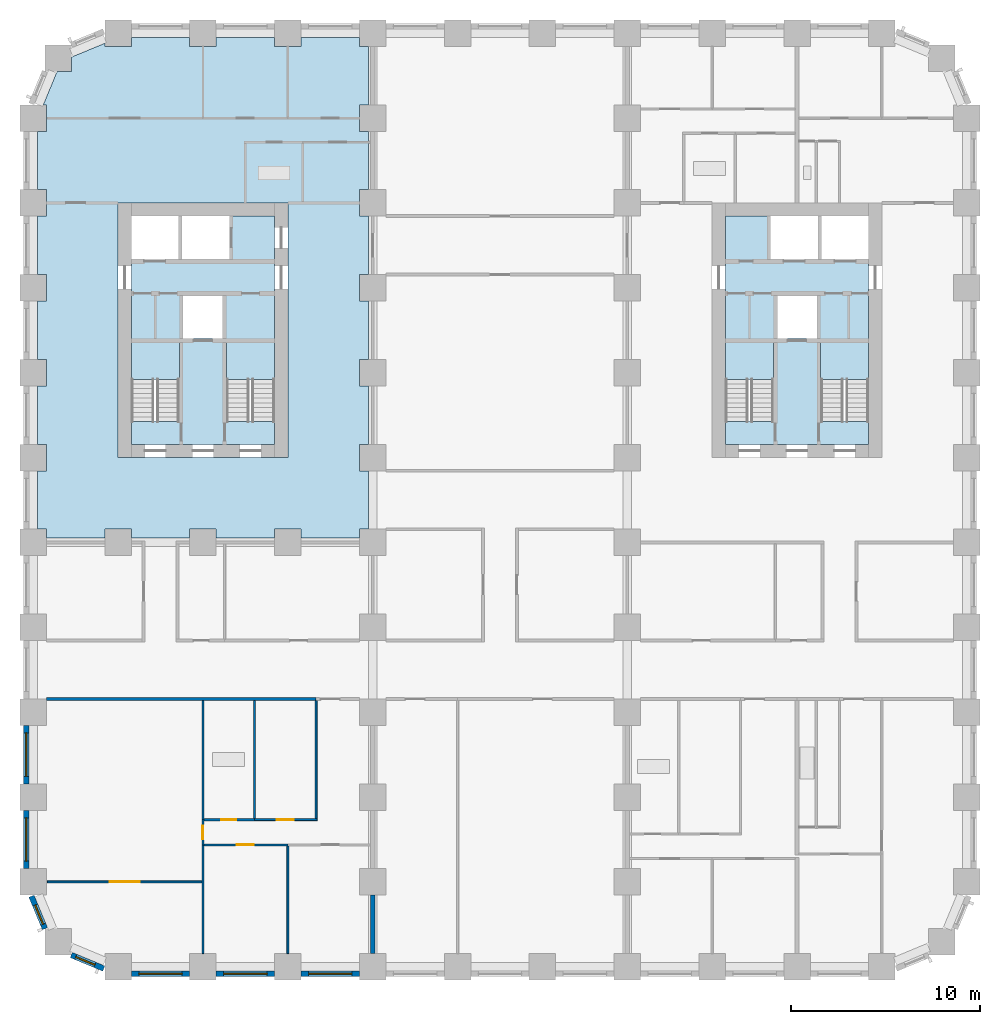
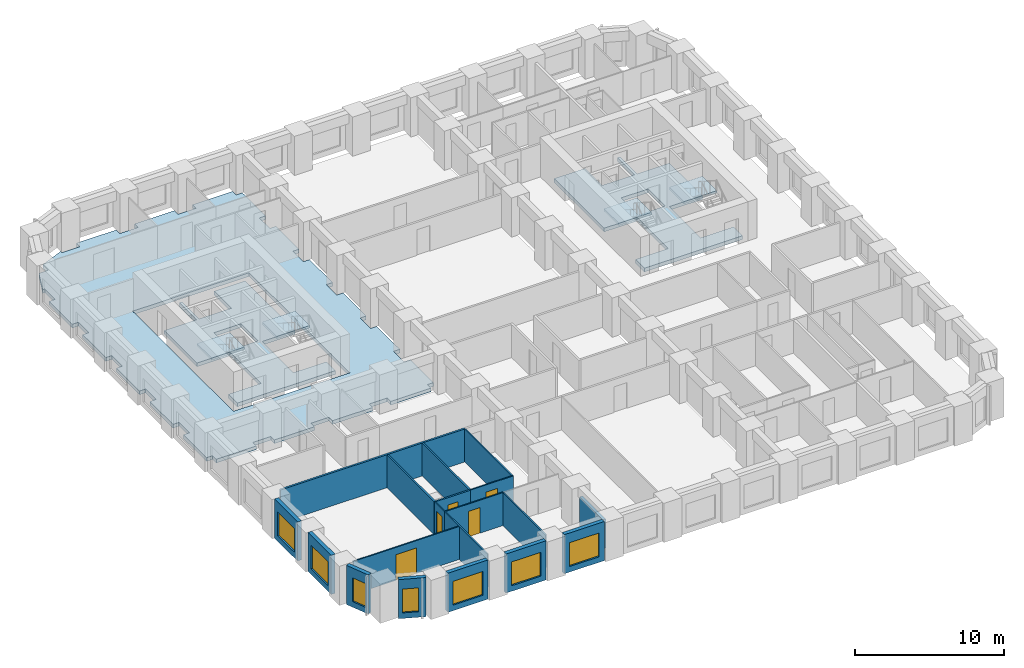
# One storey, part 2 of 12: 19 walls, 7 slabs, 7 windows, 5 doors, 12 openings, 4 elements without a shape of their own.
"""IFC4 building model written with IfcOpenShell, lengths in metres."""

from ifc_helpers import new_model, si_unit, direction, frame, frame_2d, origin, place, context, subcontext, project, spatial, polyline, rectangle, outline, extrude, material, layer, layer_set, type_object, element, fill, aggregate, save


model = new_model("IFC4")

# Units and contexts
model_context = context("Model", 3, precision=1e-05, world=origin(), true_north=direction((0.0, 1.0)))
body_context = subcontext(model_context, "Body", "Model", "MODEL_VIEW")
ifc_project = project(units=[si_unit("LENGTHUNIT", "METRE"), si_unit("AREAUNIT", "SQUARE_METRE"), si_unit("VOLUMEUNIT", "CUBIC_METRE"), si_unit("PLANEANGLEUNIT", "RADIAN"), si_unit("MASSUNIT", "GRAM", prefix="KILO")], contexts=[model_context])

# Site, building, storey
site_placement = place(None, origin())
site = spatial("IfcSite", under=ifc_project, at=site_placement, CompositionType="ELEMENT")
building_placement = place(site_placement, origin())
building = spatial("IfcBuilding", under=site, at=building_placement, Name="Girih Gate Residences", CompositionType="ELEMENT")
storey_placement = place(building_placement, frame((0.0, 0.0, 72.0)))
storey = spatial("IfcBuildingStorey", under=building, at=storey_placement, Name="L19", CompositionType="ELEMENT", Elevation=72.0)

# Slabs
ifc_material_1 = material(Name="Concrete C40/50", Category="concrete")
ifc_layer_1 = layer(ifc_material_1, 0.300048828125)
ifc_layer_set_1 = layer_set([ifc_layer_1], Name="Core floor slab 300")
slab_type_1 = type_object("IfcSlabType", Name="Core floor slab 300", PredefinedType="FLOOR", material=ifc_layer_set_1)
slab_1_placement = place(storey_placement, frame((0.0, 0.0, -0.300048828125)))
element("IfcSlab", 1, at=slab_1_placement, inside=storey, type_object=slab_type_1, Name="L19 W core floor", PredefinedType="FLOOR", context=body_context, shape_type="SweptSolid", body=[
    extrude(outline(polyline([(12.800048828125, 27.699951171875), (5.199951171875, 27.699951171875), (5.199951171875, 28.900634765625), (7.75, 28.900634765625), (7.75, 33.10009765625), (5.199951171875, 33.10009765625), (5.199951171875, 37.5), (7.699951171875, 37.5), (7.699951171875, 39.800048828125), (7.89990234375, 39.800048828125), (7.89990234375, 37.5), (10.39990234375, 37.5), (10.39990234375, 39.800048828125), (12.800048828125, 39.800048828125), (12.800048828125, 33.10009765625), (10.25, 33.10009765625), (10.25, 28.900634765625), (12.800048828125, 28.900634765625), (12.800048828125, 27.699951171875)]), holes=[polyline([(7.949951171875, 33.300048828125), (10.050048828125, 33.300048828125), (10.050048828125, 35.60009765625), (7.949951171875, 35.60009765625), (7.949951171875, 33.300048828125)])]), origin(), (0.0, 0.0, 1.0), 0.300048828125),
])
slab_2_placement = place(storey_placement, frame((0.0, 0.0, -0.300048828125)))
element("IfcSlab", 2, at=slab_2_placement, inside=storey, type_object=slab_type_1, Name="L19 E core floor", PredefinedType="FLOOR", context=body_context, shape_type="SweptSolid", body=[
    extrude(outline(polyline([(44.300048828125, 27.699951171875), (36.699951171875, 27.699951171875), (36.699951171875, 28.900634765625), (39.25, 28.900634765625), (39.25, 33.10009765625), (36.699951171875, 33.10009765625), (36.699951171875, 39.800048828125), (39.10009765625, 39.800048828125), (39.10009765625, 37.5), (41.60009765625, 37.5), (41.60009765625, 39.800048828125), (41.800048828125, 39.800048828125), (41.800048828125, 37.5), (44.300048828125, 37.5), (44.300048828125, 33.10009765625), (41.75, 33.10009765625), (41.75, 28.900634765625), (44.300048828125, 28.900634765625), (44.300048828125, 27.699951171875)]), holes=[polyline([(39.449951171875, 33.300048828125), (41.550048828125, 33.300048828125), (41.550048828125, 35.60009765625), (39.449951171875, 35.60009765625), (39.449951171875, 33.300048828125)])]), origin(), (0.0, 0.0, 1.0), 0.300048828125),
])
ifc_layer_2 = layer(ifc_material_1, 0.300048828125)
ifc_layer_set_2 = layer_set([ifc_layer_2], Name="Floor slab PT 300 Concrete C40/50")
slab_type_2 = type_object("IfcSlabType", Name="Floor slab PT 300 Concrete C40/50", PredefinedType="FLOOR", material=ifc_layer_set_2)
slab_3_placement = place(storey_placement, frame((0.0, 0.0, -0.300048828125)))
element("IfcSlab", 3, at=slab_3_placement, inside=storey, type_object=slab_type_2, Name="Floor slab L19 3", PredefinedType="FLOOR", context=body_context, shape_type="SweptSolid", body=[
    extrude(outline(polyline([(0.22509765625, 26.300048828125), (0.22509765625, 23.199951171875), (0.699951171875, 23.199951171875), (0.699951171875, 22.72509765625), (3.800048828125, 22.72509765625), (3.800048828125, 23.199951171875), (5.199951171875, 23.199951171875), (5.199951171875, 22.72509765625), (8.300048828125, 22.72509765625), (8.300048828125, 23.199951171875), (9.699951171875, 23.199951171875), (9.699951171875, 22.72509765625), (12.800048828125, 22.72509765625), (12.800048828125, 23.199951171875), (14.199951171875, 23.199951171875), (14.199951171875, 22.72509765625), (17.300048828125, 22.72509765625), (17.300048828125, 23.199951171875), (17.77490234375, 23.199951171875), (17.77490234375, 26.300048828125), (17.300048828125, 26.300048828125), (17.300048828125, 27.699951171875), (17.77490234375, 27.699951171875), (17.77490234375, 30.800048828125), (17.300048828125, 30.800048828125), (17.300048828125, 32.199951171875), (17.77490234375, 32.199951171875), (17.77490234375, 35.300048828125), (17.300048828125, 35.300048828125), (17.300048828125, 36.699951171875), (17.77490234375, 36.699951171875), (17.77490234375, 39.800048828125), (17.300048828125, 39.800048828125), (17.300048828125, 41.199951171875), (17.77490234375, 41.199951171875), (17.77490234375, 44.300048828125), (17.300048828125, 44.300048828125), (17.300048828125, 45.699951171875), (17.77490234375, 45.699951171875), (17.77490234375, 48.800048828125), (17.300048828125, 48.800048828125), (17.300048828125, 49.27490234375), (14.199951171875, 49.27490234375), (14.199951171875, 48.800048828125), (12.800048828125, 48.800048828125), (12.800048828125, 49.27490234375), (9.699951171875, 49.27490234375), (9.699951171875, 48.800048828125), (8.300048828125, 48.800048828125), (8.300048828125, 49.27490234375), (5.199951171875, 49.27490234375), (5.199951171875, 48.800048828125), (3.800048828125, 48.800048828125), (3.800048828125, 48.966552734375), (2.01806640625, 48.228271484375), (2.01806640625, 47.48193359375), (1.271728515625, 47.48193359375), (0.533447265625, 45.699951171875), (0.699951171875, 45.699951171875), (0.699951171875, 44.300048828125), (0.22509765625, 44.300048828125), (0.22509765625, 41.199951171875), (0.699951171875, 41.199951171875), (0.699951171875, 39.800048828125), (0.22509765625, 39.800048828125), (0.22509765625, 36.699951171875), (0.699951171875, 36.699951171875), (0.699951171875, 35.300048828125), (0.22509765625, 35.300048828125), (0.22509765625, 32.199951171875), (0.699951171875, 32.199951171875), (0.699951171875, 30.800048828125), (0.22509765625, 30.800048828125), (0.22509765625, 27.699951171875), (0.699951171875, 27.699951171875), (0.699951171875, 26.300048828125), (0.22509765625, 26.300048828125)]), holes=[polyline([(13.5, 40.5), (13.5, 27.0), (4.5, 27.0), (4.5, 40.5), (13.5, 40.5)])]), origin(), (0.0, 0.0, 1.0), 0.300048828125),
])

# Stair, slab
stair_type = type_object("IfcStairType", Name="Exit stair", PredefinedType="HALF_TURN_STAIR", material=ifc_material_1)
stair_1_placement = place(storey_placement, origin())
stair_1 = element("IfcStair", 4, at=stair_1_placement, inside=storey, type_object=stair_type, Name="L19 Exit Stair ST-W1", PredefinedType="HALF_TURN_STAIR")
ifc_layer_3 = layer(ifc_material_1, 0.199951171875)
ifc_layer_set_3 = layer_set([ifc_layer_3], Name="Stair landing 200")
slab_type_3 = type_object("IfcSlabType", Name="Stair landing 200", PredefinedType="LANDING", material=ifc_layer_set_3)
slab_4_placement = place(storey_placement, frame((0.0, 0.0, 1.39990234375)))
slab_4 = element("IfcSlab", 5, at=slab_4_placement, type_object=slab_type_3, Name="ST-W1 landing 1", PredefinedType="LANDING", context=body_context, shape_type="SweptSolid", body=[
    extrude(outline(polyline([(7.75, 31.14990234375), (7.75, 33.10009765625), (5.199951171875, 33.10009765625), (5.199951171875, 31.14990234375), (7.75, 31.14990234375)])), origin(), (0.0, 0.0, 1.0), 0.2001953125),
])
aggregate(stair_1, [slab_4])

stair_2_placement = place(storey_placement, origin())
stair_2 = element("IfcStair", 6, at=stair_2_placement, inside=storey, type_object=stair_type, Name="L19 Exit Stair ST-W2", PredefinedType="HALF_TURN_STAIR")
slab_5_placement = place(storey_placement, frame((0.0, 0.0, 1.39990234375)))
slab_5 = element("IfcSlab", 7, at=slab_5_placement, type_object=slab_type_3, Name="ST-W2 landing 1", PredefinedType="LANDING", context=body_context, shape_type="SweptSolid", body=[
    extrude(outline(polyline([(12.800048828125, 31.14990234375), (12.800048828125, 33.10009765625), (10.25, 33.10009765625), (10.25, 31.14990234375), (12.800048828125, 31.14990234375)])), origin(), (0.0, 0.0, 1.0), 0.2001953125),
])
aggregate(stair_2, [slab_5])

stair_3_placement = place(storey_placement, origin())
stair_3 = element("IfcStair", 8, at=stair_3_placement, inside=storey, type_object=stair_type, Name="L19 Exit Stair ST-E1", PredefinedType="HALF_TURN_STAIR")
slab_6_placement = place(storey_placement, frame((0.0, 0.0, 1.39990234375)))
slab_6 = element("IfcSlab", 9, at=slab_6_placement, type_object=slab_type_3, Name="ST-E1 landing 1", PredefinedType="LANDING", context=body_context, shape_type="SweptSolid", body=[
    extrude(outline(polyline([(44.300048828125, 31.14990234375), (44.300048828125, 33.10009765625), (41.75, 33.10009765625), (41.75, 31.14990234375), (44.300048828125, 31.14990234375)])), origin(), (0.0, 0.0, 1.0), 0.2001953125),
])
aggregate(stair_3, [slab_6])

stair_4_placement = place(storey_placement, origin())
stair_4 = element("IfcStair", 10, at=stair_4_placement, inside=storey, type_object=stair_type, Name="L19 Exit Stair ST-E2", PredefinedType="HALF_TURN_STAIR")
slab_7_placement = place(storey_placement, frame((0.0, 0.0, 1.39990234375)))
slab_7 = element("IfcSlab", 11, at=slab_7_placement, type_object=slab_type_3, Name="ST-E2 landing 1", PredefinedType="LANDING", context=body_context, shape_type="SweptSolid", body=[
    extrude(outline(polyline([(39.25, 31.14990234375), (39.25, 33.10009765625), (36.699951171875, 33.10009765625), (36.699951171875, 31.14990234375), (39.25, 31.14990234375)])), origin(), (0.0, 0.0, 1.0), 0.2001953125),
])
aggregate(stair_4, [slab_7])

# Walls
ifc_material_2 = material(Name="Gypsum board on steel studs", Category="steel")
ifc_layer_4 = layer(ifc_material_2, 0.25)
ifc_layer_set_4 = layer_set([ifc_layer_4], Name="Acoustic separating wall 250 mm")
wall_type_1 = type_object("IfcWallType", Name="Acoustic separating wall 250 mm", PredefinedType="PARTITIONING", material=ifc_layer_set_4)
wall_1_placement = place(storey_placement, frame((18.0, 0.699951171875, 0.0), z_axis=(0.0, 0.0, 1.0), x_axis=(0.0, 1.0, 0.0)))
element("IfcWall", 12, at=wall_1_placement, inside=storey, type_object=wall_type_1, Name="L19 partition", PredefinedType="PARTITIONING", context=body_context, shape_type="SweptSolid", body=[
    extrude(rectangle(XDim=3.10009765625, YDim=0.25, at=frame_2d((1.550048828125, 0.0))), origin(), (0.0, 0.0, 1.0), 2.3798828125),
])
ifc_layer_5 = layer(ifc_material_2, 0.14990234375)
ifc_layer_set_5 = layer_set([ifc_layer_5], Name="Compartment wall 150 mm")
wall_type_2 = type_object("IfcWallType", Name="Compartment wall 150 mm", PredefinedType="PARTITIONING", material=ifc_layer_set_5)
wall_2_placement = place(storey_placement, frame((0.699951171875, 14.199951171875, 0.0), z_axis=(0.0, 0.0, 1.0), x_axis=(1.0, 0.0, 0.0)))
element("IfcWall", 13, at=wall_2_placement, inside=storey, type_object=wall_type_2, Name="L19 partition", PredefinedType="PARTITIONING", context=body_context, shape_type="SweptSolid", body=[
    extrude(rectangle(XDim=14.300048828125, YDim=0.14990234375, at=frame_2d((7.14990234375, 0.0))), origin(), (0.0, 0.0, 1.0), 2.699951171875),
])
ifc_layer_6 = layer(ifc_material_2, 0.10009765625)
ifc_layer_set_6 = layer_set([ifc_layer_6], Name="Partition 100 mm")
wall_type_3 = type_object("IfcWallType", Name="Partition 100 mm", PredefinedType="PARTITIONING", material=ifc_layer_set_6)
wall_3_placement = place(storey_placement, frame((13.5, 0.699951171875, 0.0), z_axis=(0.0, 0.0, 1.0), x_axis=(0.0, 1.0, 0.0)))
element("IfcWall", 14, at=wall_3_placement, inside=storey, type_object=wall_type_3, Name="L19 partition", PredefinedType="PARTITIONING", context=body_context, shape_type="SweptSolid", body=[
    extrude(rectangle(XDim=5.7099609375, YDim=0.10009765625, at=frame_2d((2.85498046875, 0.0))), origin(), (0.0, 0.0, 1.0), 2.699951171875),
])

# Wall, opening, door
wall_4_placement = place(storey_placement, frame((13.5, 6.4599609375, 0.0), z_axis=(0.0, 0.0, 1.0), x_axis=(-1.0, 0.0, 0.0)))
wall_4 = element("IfcWall", 15, at=wall_4_placement, inside=storey, type_object=wall_type_3, Name="L19 partition", PredefinedType="PARTITIONING", context=body_context, shape_type="SweptSolid", body=[
    extrude(rectangle(XDim=4.449951171875, YDim=0.10009765625, at=frame_2d((2.22509765625, 0.0))), origin(), (0.0, 0.0, 1.0), 2.699951171875),
])
opening_1_placement = place(wall_4_placement, frame((1.800048828125, 0.0, 0.0)))
opening_1 = element("IfcOpeningElement", 16, at=opening_1_placement, cuts=wall_4, Name="Opening A19-002", PredefinedType="OPENING", context=body_context, shape_type="SweptSolid", body=[
    extrude(rectangle(XDim=0.89990234375, YDim=2.10009765625, at=frame_2d((0.449951171875, 1.050048828125))), frame((0.0, 0.06005859375, 0.0), z_axis=(0.0, -1.0, 0.0), x_axis=(1.0, 0.0, 0.0)), (0.0, 0.0, 1.0), 0.1201171875),
])
ifc_material_3 = material(Name="Timber", Category="wood")
door_type_1 = type_object("IfcDoorType", Name="Bedroom door 900x2100", OperationType="NOTDEFINED", PredefinedType="DOOR", material=ifc_material_3)
door_1_placement = place(opening_1_placement, origin())
door_1 = element("IfcDoor", 17, at=door_1_placement, inside=storey, type_object=door_type_1, Name="Door A19-002", OperationType="SINGLE_SWING_RIGHT", OverallHeight=2.10009765625, OverallWidth=0.89990234375, PredefinedType="DOOR", context=body_context, shape_type="SweptSolid", body=[
    extrude(rectangle(XDim=0.89990234375, YDim=2.10009765625, at=frame_2d((0.449951171875, 1.050048828125))), frame((0.0, 0.02490234375, 0.0), z_axis=(0.0, -1.0, 0.0), x_axis=(1.0, 0.0, 0.0)), (0.0, 0.0, 1.0), 0.050048828125),
])
fill(opening_1, door_1)

# Wall
wall_5_placement = place(storey_placement, frame((9.0, 0.699951171875, 0.0), z_axis=(0.0, 0.0, 1.0), x_axis=(0.0, 1.0, 0.0)))
element("IfcWall", 18, at=wall_5_placement, inside=storey, type_object=wall_type_3, Name="L19 partition", PredefinedType="PARTITIONING", context=body_context, shape_type="SweptSolid", body=[
    extrude(rectangle(XDim=5.760009765625, YDim=0.10009765625, at=frame_2d((2.8798828125, 0.0))), origin(), (0.0, 0.0, 1.0), 2.699951171875),
])

# Wall, opening, door
wall_6_placement = place(storey_placement, frame((9.0, 6.4599609375, 0.0), z_axis=(0.0, 0.0, 1.0), x_axis=(0.0, 1.0, 0.0)))
wall_6 = element("IfcWall", 19, at=wall_6_placement, inside=storey, type_object=wall_type_3, Name="L19 partition", PredefinedType="PARTITIONING", context=body_context, shape_type="SweptSolid", body=[
    extrude(rectangle(XDim=1.340087890625, YDim=0.10009765625, at=frame_2d((0.669921875, 0.0))), origin(), (0.0, 0.0, 1.0), 2.699951171875),
])
opening_2_placement = place(wall_6_placement, frame((0.31005859375, 0.0, 0.0)))
opening_2 = element("IfcOpeningElement", 20, at=opening_2_placement, cuts=wall_6, Name="Opening A19-004", PredefinedType="OPENING", context=body_context, shape_type="SweptSolid", body=[
    extrude(rectangle(XDim=0.699951171875, YDim=2.10009765625, at=frame_2d((0.35009765625, 1.050048828125))), frame((0.0, 0.06005859375, 0.0), z_axis=(0.0, -1.0, 0.0), x_axis=(1.0, 0.0, 0.0)), (0.0, 0.0, 1.0), 0.1201171875),
])
door_type_2 = type_object("IfcDoorType", Name="Narrow door 700x2100", OperationType="NOTDEFINED", PredefinedType="DOOR", material=ifc_material_3)
door_2_placement = place(opening_2_placement, origin())
door_2 = element("IfcDoor", 21, at=door_2_placement, inside=storey, type_object=door_type_2, Name="Door A19-004", OperationType="SINGLE_SWING_LEFT", OverallHeight=2.10009765625, OverallWidth=0.699951171875, PredefinedType="DOOR", context=body_context, shape_type="SweptSolid", body=[
    extrude(rectangle(XDim=0.699951171875, YDim=2.10009765625, at=frame_2d((0.35009765625, 1.050048828125))), frame((0.0, 0.02490234375, 0.0), z_axis=(0.0, -1.0, 0.0), x_axis=(1.0, 0.0, 0.0)), (0.0, 0.0, 1.0), 0.050048828125),
])
fill(opening_2, door_2)

wall_7_placement = place(storey_placement, frame((0.757568359375, 4.5, 0.0), z_axis=(0.0, 0.0, 1.0), x_axis=(1.0, 0.0, 0.0)))
wall_7 = element("IfcWall", 22, at=wall_7_placement, inside=storey, type_object=wall_type_3, Name="L19 partition", PredefinedType="PARTITIONING", context=body_context, shape_type="SweptSolid", body=[
    extrude(rectangle(XDim=8.1923828125, YDim=0.10009765625, at=frame_2d((4.09619140625, 0.0))), origin(), (0.0, 0.0, 1.0), 2.699951171875),
])
opening_3_placement = place(wall_7_placement, frame((3.292236328125, 0.0, 0.0)))
opening_3 = element("IfcOpeningElement", 23, at=opening_3_placement, cuts=wall_7, Name="Opening A19-005", PredefinedType="OPENING", context=body_context, shape_type="SweptSolid", body=[
    extrude(rectangle(XDim=1.60009765625, YDim=2.10009765625, at=frame_2d((0.800048828125, 1.050048828125))), frame((0.0, 0.06005859375, 0.0), z_axis=(0.0, -1.0, 0.0), x_axis=(1.0, 0.0, 0.0)), (0.0, 0.0, 1.0), 0.1201171875),
])
door_type_3 = type_object("IfcDoorType", Name="Double leaf door 1600x2100", OperationType="NOTDEFINED", PredefinedType="DOOR", material=ifc_material_3)
door_3_placement = place(opening_3_placement, origin())
door_3 = element("IfcDoor", 24, at=door_3_placement, inside=storey, type_object=door_type_3, Name="Door A19-005", OperationType="SINGLE_SWING_LEFT", OverallHeight=2.10009765625, OverallWidth=1.60009765625, PredefinedType="DOOR", context=body_context, shape_type="SweptSolid", body=[
    extrude(rectangle(XDim=1.60009765625, YDim=2.10009765625, at=frame_2d((0.800048828125, 1.050048828125))), frame((0.0, 0.02490234375, 0.0), z_axis=(0.0, -1.0, 0.0), x_axis=(1.0, 0.0, 0.0)), (0.0, 0.0, 1.0), 0.050048828125),
])
fill(opening_3, door_3)

wall_8_placement = place(storey_placement, frame((11.7314453125, 7.800048828125, 0.0), z_axis=(0.0, 0.0, 1.0), x_axis=(1.0, 0.0, 0.0)))
wall_8 = element("IfcWall", 25, at=wall_8_placement, inside=storey, type_object=wall_type_3, Name="L19 partition", PredefinedType="PARTITIONING", context=body_context, shape_type="SweptSolid", body=[
    extrude(rectangle(XDim=3.318603515625, YDim=0.10009765625, at=frame_2d((1.6591796875, 0.0))), origin(), (0.0, 0.0, 1.0), 2.699951171875),
])
opening_4_placement = place(wall_8_placement, frame((1.184326171875, 0.0, 0.0)))
opening_4 = element("IfcOpeningElement", 26, at=opening_4_placement, cuts=wall_8, Name="Opening A19-006", PredefinedType="OPENING", context=body_context, shape_type="SweptSolid", body=[
    extrude(rectangle(XDim=0.89990234375, YDim=2.10009765625, at=frame_2d((0.449951171875, 1.050048828125))), frame((0.0, 0.06005859375, 0.0), z_axis=(0.0, -1.0, 0.0), x_axis=(1.0, 0.0, 0.0)), (0.0, 0.0, 1.0), 0.1201171875),
])
door_type_4 = type_object("IfcDoorType", Name="Kitchen door 900x2100", OperationType="NOTDEFINED", PredefinedType="DOOR", material=ifc_material_3)
door_4_placement = place(opening_4_placement, origin())
door_4 = element("IfcDoor", 27, at=door_4_placement, inside=storey, type_object=door_type_4, Name="Door A19-006", OperationType="SINGLE_SWING_LEFT", OverallHeight=2.10009765625, OverallWidth=0.89990234375, PredefinedType="DOOR", context=body_context, shape_type="SweptSolid", body=[
    extrude(rectangle(XDim=0.89990234375, YDim=2.10009765625, at=frame_2d((0.449951171875, 1.050048828125))), frame((0.0, 0.02490234375, 0.0), z_axis=(0.0, -1.0, 0.0), x_axis=(1.0, 0.0, 0.0)), (0.0, 0.0, 1.0), 0.050048828125),
])
fill(opening_4, door_4)

# Wall
wall_9_placement = place(storey_placement, frame((15.0, 7.85009765625, 0.0), z_axis=(0.0, 0.0, 1.0), x_axis=(0.0, 1.0, 0.0)))
element("IfcWall", 28, at=wall_9_placement, inside=storey, type_object=wall_type_3, Name="L19 partition", PredefinedType="PARTITIONING", context=body_context, shape_type="SweptSolid", body=[
    extrude(rectangle(XDim=6.27490234375, YDim=0.10009765625, at=frame_2d((3.137451171875, 0.0))), origin(), (0.0, 0.0, 1.0), 2.699951171875),
])

# Wall, opening, window
ifc_material_4 = material(Name="Precast concrete C50/60", Category="concrete")
ifc_layer_7 = layer(ifc_material_4, 0.080078125, Name="Outer leaf")
ifc_material_5 = material(Name="Rigid PIR insulation")
ifc_layer_8 = layer(ifc_material_5, 0.14990234375, Name="Insulation")
ifc_material_6 = material(Name="Precast concrete C40/50", Category="concrete")
ifc_layer_9 = layer(ifc_material_6, 0.070068359375, Name="Inner leaf")
ifc_layer_set_7 = layer_set([ifc_layer_7, ifc_layer_8, ifc_layer_9], Name="Precast concrete C50/60 external wall 300")
wall_type_4 = type_object("IfcWallType", Name="Precast concrete C50/60 external wall 300", PredefinedType="SOLIDWALL", material=ifc_layer_set_7)
wall_10_placement = place(storey_placement, frame((0.62158203125, 2.01953125, 0.0), z_axis=(0.0, 0.0, 1.0), x_axis=(-0.38262540684, 0.923903565336, 0.0)))
wall_10 = element("IfcWall", 29, at=wall_10_placement, inside=storey, type_object=wall_type_4, Name="External wall SW0000_0045.0", PredefinedType="SOLIDWALL", context=body_context, shape_type="SweptSolid", body=[
    extrude(rectangle(XDim=1.864990234375, YDim=0.300048828125, at=frame_2d((0.9326171875, 0.0))), origin(), (0.0, 0.0, 1.0), 3.199951171875),
])
opening_5_placement = place(wall_10_placement, frame((0.257568359375, 0.0, 0.449951171875)))
opening_5 = element("IfcOpeningElement", 30, at=opening_5_placement, cuts=wall_10, Name="Opening W-2C", PredefinedType="OPENING", context=body_context, shape_type="SweptSolid", body=[
    extrude(rectangle(XDim=1.10009765625, YDim=1.949951171875, at=frame_2d((0.550048828125, 0.97509765625))), frame((0.0, 0.159912109375, 0.0), z_axis=(0.0, -1.0, 0.0), x_axis=(1.0, 0.0, 0.0)), (0.0, 0.0, 1.0), 0.320068359375),
])
ifc_material_7 = material(Name="Double glazing in aluminium frame", Category="aluminium")
window_type_1 = type_object("IfcWindowType", Name="Window W-2C 1100x1950", PartitioningType="SINGLE_PANEL", PredefinedType="WINDOW", material=ifc_material_7)
window_1_placement = place(opening_5_placement, origin())
window_1 = element("IfcWindow", 31, at=window_1_placement, inside=storey, type_object=window_type_1, Name="Window W-2C SW0000_0045.0", OverallHeight=1.949951171875, OverallWidth=1.10009765625, PartitioningType="SINGLE_PANEL", PredefinedType="WINDOW", context=body_context, shape_type="SweptSolid", body=[
    extrude(rectangle(XDim=1.10009765625, YDim=1.949951171875, at=frame_2d((0.550048828125, 0.97509765625))), frame((0.0, 0.030029296875, 0.0), z_axis=(0.0, -1.0, 0.0), x_axis=(1.0, 0.0, 0.0)), (0.0, 0.0, 1.0), 0.06005859375),
])
fill(opening_5, window_1)

wall_11_placement = place(storey_placement, frame((3.74267578125, -0.09228515625, 0.0), z_axis=(0.0, 0.0, 1.0), x_axis=(-0.923857286003, 0.382737135771, 0.0)))
wall_11 = element("IfcWall", 32, at=wall_11_placement, inside=storey, type_object=wall_type_4, Name="External wall SW0013_0013.0", PredefinedType="SOLIDWALL", context=body_context, shape_type="SweptSolid", body=[
    extrude(rectangle(XDim=1.865234375, YDim=0.300048828125, at=frame_2d((0.9326171875, 0.0))), origin(), (0.0, 0.0, 1.0), 3.199951171875),
])
opening_6_placement = place(wall_11_placement, frame((0.507568359375, 0.0, 0.449951171875)))
opening_6 = element("IfcOpeningElement", 33, at=opening_6_placement, cuts=wall_11, Name="Opening W-2C", PredefinedType="OPENING", context=body_context, shape_type="SweptSolid", body=[
    extrude(rectangle(XDim=1.10009765625, YDim=1.949951171875, at=frame_2d((0.550048828125, 0.97509765625))), frame((0.0, 0.159912109375, 0.0), z_axis=(0.0, -1.0, 0.0), x_axis=(1.0, 0.0, 0.0)), (0.0, 0.0, 1.0), 0.320068359375),
])
window_2_placement = place(opening_6_placement, origin())
window_2 = element("IfcWindow", 34, at=window_2_placement, inside=storey, type_object=window_type_1, Name="Window W-2C SW0013_0013.0", OverallHeight=1.949951171875, OverallWidth=1.10009765625, PartitioningType="SINGLE_PANEL", PredefinedType="WINDOW", context=body_context, shape_type="SweptSolid", body=[
    extrude(rectangle(XDim=1.10009765625, YDim=1.949951171875, at=frame_2d((0.550048828125, 0.97509765625))), frame((0.0, 0.030029296875, 0.0), z_axis=(0.0, -1.0, 0.0), x_axis=(1.0, 0.0, 0.0)), (0.0, 0.0, 1.0), 0.06005859375),
])
fill(opening_6, window_2)

wall_12_placement = place(storey_placement, frame((8.300048828125, -0.375, 0.0), z_axis=(0.0, 0.0, 1.0), x_axis=(-1.0, 0.0, 0.0)))
wall_12 = element("IfcWall", 35, at=wall_12_placement, inside=storey, type_object=wall_type_4, Name="External wall S0045_0000.0", PredefinedType="SOLIDWALL", context=body_context, shape_type="SweptSolid", body=[
    extrude(rectangle(XDim=3.10009765625, YDim=0.300048828125, at=frame_2d((1.550048828125, 0.0))), origin(), (0.0, 0.0, 1.0), 3.199951171875),
])
opening_7_placement = place(wall_12_placement, frame((0.39990234375, 0.0, 0.449951171875)))
opening_7 = element("IfcOpeningElement", 36, at=opening_7_placement, cuts=wall_12, Name="Opening W-1", PredefinedType="OPENING", context=body_context, shape_type="SweptSolid", body=[
    extrude(rectangle(XDim=2.300048828125, YDim=1.949951171875, at=frame_2d((1.14990234375, 0.97509765625))), frame((0.0, 0.159912109375, 0.0), z_axis=(0.0, -1.0, 0.0), x_axis=(1.0, 0.0, 0.0)), (0.0, 0.0, 1.0), 0.320068359375),
])
window_type_2 = type_object("IfcWindowType", Name="Window W-1 2300x1950", PartitioningType="SINGLE_PANEL", PredefinedType="WINDOW", material=ifc_material_7)
window_3_placement = place(opening_7_placement, origin())
window_3 = element("IfcWindow", 37, at=window_3_placement, inside=storey, type_object=window_type_2, Name="Window W-1 S0045_0000.0", OverallHeight=1.949951171875, OverallWidth=2.300048828125, PartitioningType="SINGLE_PANEL", PredefinedType="WINDOW", context=body_context, shape_type="SweptSolid", body=[
    extrude(rectangle(XDim=2.300048828125, YDim=1.949951171875, at=frame_2d((1.14990234375, 0.97509765625))), frame((0.0, 0.030029296875, 0.0), z_axis=(0.0, -1.0, 0.0), x_axis=(1.0, 0.0, 0.0)), (0.0, 0.0, 1.0), 0.06005859375),
])
fill(opening_7, window_3)

wall_13_placement = place(storey_placement, frame((12.800048828125, -0.375, 0.0), z_axis=(0.0, 0.0, 1.0), x_axis=(-1.0, 0.0, 0.0)))
wall_13 = element("IfcWall", 38, at=wall_13_placement, inside=storey, type_object=wall_type_4, Name="External wall S0045_0000.1", PredefinedType="SOLIDWALL", context=body_context, shape_type="SweptSolid", body=[
    extrude(rectangle(XDim=3.10009765625, YDim=0.300048828125, at=frame_2d((1.550048828125, 0.0))), origin(), (0.0, 0.0, 1.0), 3.199951171875),
])
opening_8_placement = place(wall_13_placement, frame((0.39990234375, 0.0, 0.449951171875)))
opening_8 = element("IfcOpeningElement", 39, at=opening_8_placement, cuts=wall_13, Name="Opening W-1", PredefinedType="OPENING", context=body_context, shape_type="SweptSolid", body=[
    extrude(rectangle(XDim=2.300048828125, YDim=1.949951171875, at=frame_2d((1.14990234375, 0.97509765625))), frame((0.0, 0.159912109375, 0.0), z_axis=(0.0, -1.0, 0.0), x_axis=(1.0, 0.0, 0.0)), (0.0, 0.0, 1.0), 0.320068359375),
])
window_4_placement = place(opening_8_placement, origin())
window_4 = element("IfcWindow", 40, at=window_4_placement, inside=storey, type_object=window_type_2, Name="Window W-1 S0045_0000.1", OverallHeight=1.949951171875, OverallWidth=2.300048828125, PartitioningType="SINGLE_PANEL", PredefinedType="WINDOW", context=body_context, shape_type="SweptSolid", body=[
    extrude(rectangle(XDim=2.300048828125, YDim=1.949951171875, at=frame_2d((1.14990234375, 0.97509765625))), frame((0.0, 0.030029296875, 0.0), z_axis=(0.0, -1.0, 0.0), x_axis=(1.0, 0.0, 0.0)), (0.0, 0.0, 1.0), 0.06005859375),
])
fill(opening_8, window_4)

wall_14_placement = place(storey_placement, frame((17.300048828125, -0.375, 0.0), z_axis=(0.0, 0.0, 1.0), x_axis=(-1.0, 0.0, 0.0)))
wall_14 = element("IfcWall", 41, at=wall_14_placement, inside=storey, type_object=wall_type_4, Name="External wall S0045_0000.2", PredefinedType="SOLIDWALL", context=body_context, shape_type="SweptSolid", body=[
    extrude(rectangle(XDim=3.10009765625, YDim=0.300048828125, at=frame_2d((1.550048828125, 0.0))), origin(), (0.0, 0.0, 1.0), 3.199951171875),
])
opening_9_placement = place(wall_14_placement, frame((0.39990234375, 0.0, 0.449951171875)))
opening_9 = element("IfcOpeningElement", 42, at=opening_9_placement, cuts=wall_14, Name="Opening W-1", PredefinedType="OPENING", context=body_context, shape_type="SweptSolid", body=[
    extrude(rectangle(XDim=2.300048828125, YDim=1.949951171875, at=frame_2d((1.14990234375, 0.97509765625))), frame((0.0, 0.159912109375, 0.0), z_axis=(0.0, -1.0, 0.0), x_axis=(1.0, 0.0, 0.0)), (0.0, 0.0, 1.0), 0.320068359375),
])
window_5_placement = place(opening_9_placement, origin())
window_5 = element("IfcWindow", 43, at=window_5_placement, inside=storey, type_object=window_type_2, Name="Window W-1 S0045_0000.2", OverallHeight=1.949951171875, OverallWidth=2.300048828125, PartitioningType="SINGLE_PANEL", PredefinedType="WINDOW", context=body_context, shape_type="SweptSolid", body=[
    extrude(rectangle(XDim=2.300048828125, YDim=1.949951171875, at=frame_2d((1.14990234375, 0.97509765625))), frame((0.0, 0.030029296875, 0.0), z_axis=(0.0, -1.0, 0.0), x_axis=(1.0, 0.0, 0.0)), (0.0, 0.0, 1.0), 0.06005859375),
])
fill(opening_9, window_5)

wall_15_placement = place(storey_placement, frame((-0.375, 9.699951171875, 0.0), z_axis=(0.0, 0.0, 1.0), x_axis=(0.0, 1.0, 0.0)))
wall_15 = element("IfcWall", 44, at=wall_15_placement, inside=storey, type_object=wall_type_4, Name="External wall W0000_0450.7", PredefinedType="SOLIDWALL", context=body_context, shape_type="SweptSolid", body=[
    extrude(rectangle(XDim=3.10009765625, YDim=0.300048828125, at=frame_2d((1.550048828125, 0.0))), origin(), (0.0, 0.0, 1.0), 3.199951171875),
])
opening_10_placement = place(wall_15_placement, frame((0.39990234375, 0.0, 0.449951171875)))
opening_10 = element("IfcOpeningElement", 45, at=opening_10_placement, cuts=wall_15, Name="Opening W-1", PredefinedType="OPENING", context=body_context, shape_type="SweptSolid", body=[
    extrude(rectangle(XDim=2.300048828125, YDim=1.949951171875, at=frame_2d((1.14990234375, 0.97509765625))), frame((0.0, 0.159912109375, 0.0), z_axis=(0.0, -1.0, 0.0), x_axis=(1.0, 0.0, 0.0)), (0.0, 0.0, 1.0), 0.320068359375),
])
window_6_placement = place(opening_10_placement, origin())
window_6 = element("IfcWindow", 46, at=window_6_placement, inside=storey, type_object=window_type_2, Name="Window W-1 W0000_0450.7", OverallHeight=1.949951171875, OverallWidth=2.300048828125, PartitioningType="SINGLE_PANEL", PredefinedType="WINDOW", context=body_context, shape_type="SweptSolid", body=[
    extrude(rectangle(XDim=2.300048828125, YDim=1.949951171875, at=frame_2d((1.14990234375, 0.97509765625))), frame((0.0, 0.030029296875, 0.0), z_axis=(0.0, -1.0, 0.0), x_axis=(1.0, 0.0, 0.0)), (0.0, 0.0, 1.0), 0.06005859375),
])
fill(opening_10, window_6)

wall_16_placement = place(storey_placement, frame((-0.375, 5.199951171875, 0.0), z_axis=(0.0, 0.0, 1.0), x_axis=(0.0, 1.0, 0.0)))
wall_16 = element("IfcWall", 47, at=wall_16_placement, inside=storey, type_object=wall_type_4, Name="External wall W0000_0450.8", PredefinedType="SOLIDWALL", context=body_context, shape_type="SweptSolid", body=[
    extrude(rectangle(XDim=3.10009765625, YDim=0.300048828125, at=frame_2d((1.550048828125, 0.0))), origin(), (0.0, 0.0, 1.0), 3.199951171875),
])
opening_11_placement = place(wall_16_placement, frame((0.39990234375, 0.0, 0.449951171875)))
opening_11 = element("IfcOpeningElement", 48, at=opening_11_placement, cuts=wall_16, Name="Opening W-1", PredefinedType="OPENING", context=body_context, shape_type="SweptSolid", body=[
    extrude(rectangle(XDim=2.300048828125, YDim=1.949951171875, at=frame_2d((1.14990234375, 0.97509765625))), frame((0.0, 0.159912109375, 0.0), z_axis=(0.0, -1.0, 0.0), x_axis=(1.0, 0.0, 0.0)), (0.0, 0.0, 1.0), 0.320068359375),
])
window_7_placement = place(opening_11_placement, origin())
window_7 = element("IfcWindow", 49, at=window_7_placement, inside=storey, type_object=window_type_2, Name="Window W-1 W0000_0450.8", OverallHeight=1.949951171875, OverallWidth=2.300048828125, PartitioningType="SINGLE_PANEL", PredefinedType="WINDOW", context=body_context, shape_type="SweptSolid", body=[
    extrude(rectangle(XDim=2.300048828125, YDim=1.949951171875, at=frame_2d((1.14990234375, 0.97509765625))), frame((0.0, 0.030029296875, 0.0), z_axis=(0.0, -1.0, 0.0), x_axis=(1.0, 0.0, 0.0)), (0.0, 0.0, 1.0), 0.06005859375),
])
fill(opening_11, window_7)

# Wall
ifc_layer_10 = layer(ifc_material_2, 0.125)
ifc_layer_set_8 = layer_set([ifc_layer_10], Name="Wet room wall 125 mm")
wall_type_5 = type_object("IfcWallType", Name="Wet room wall 125 mm", PredefinedType="PARTITIONING", material=ifc_layer_set_8)
wall_17_placement = place(storey_placement, frame((9.0, 7.800048828125, 0.0), z_axis=(0.0, 0.0, 1.0), x_axis=(0.0, 1.0, 0.0)))
element("IfcWall", 50, at=wall_17_placement, inside=storey, type_object=wall_type_5, Name="L19 partition", PredefinedType="PARTITIONING", context=body_context, shape_type="SweptSolid", body=[
    extrude(rectangle(XDim=6.324951171875, YDim=0.125, at=frame_2d((3.16259765625, 0.0))), origin(), (0.0, 0.0, 1.0), 2.699951171875),
])

# Wall, opening, door
wall_18_placement = place(storey_placement, frame((9.0625, 7.800048828125, 0.0), z_axis=(0.0, 0.0, 1.0), x_axis=(1.0, 0.0, 0.0)))
wall_18 = element("IfcWall", 51, at=wall_18_placement, inside=storey, type_object=wall_type_5, Name="L19 partition", PredefinedType="PARTITIONING", context=body_context, shape_type="SweptSolid", body=[
    extrude(rectangle(XDim=2.6689453125, YDim=0.125, at=frame_2d((1.33447265625, 0.0))), origin(), (0.0, 0.0, 1.0), 2.699951171875),
])
opening_12_placement = place(wall_18_placement, frame((0.9033203125, 0.0, 0.0)))
opening_12 = element("IfcOpeningElement", 52, at=opening_12_placement, cuts=wall_18, Name="Opening A19-001", PredefinedType="OPENING", context=body_context, shape_type="SweptSolid", body=[
    extrude(rectangle(XDim=0.800048828125, YDim=2.10009765625, at=frame_2d((0.39990234375, 1.050048828125))), frame((0.0, 0.072509765625, 0.0), z_axis=(0.0, -1.0, 0.0), x_axis=(1.0, 0.0, 0.0)), (0.0, 0.0, 1.0), 0.14501953125),
])
door_type_5 = type_object("IfcDoorType", Name="Bathroom door 800x2100", OperationType="NOTDEFINED", PredefinedType="DOOR", material=ifc_material_3)
door_5_placement = place(opening_12_placement, origin())
door_5 = element("IfcDoor", 53, at=door_5_placement, inside=storey, type_object=door_type_5, Name="Door A19-001", OperationType="SINGLE_SWING_LEFT", OverallHeight=2.10009765625, OverallWidth=0.800048828125, PredefinedType="DOOR", context=body_context, shape_type="SweptSolid", body=[
    extrude(rectangle(XDim=0.800048828125, YDim=2.10009765625, at=frame_2d((0.39990234375, 1.050048828125))), frame((0.0, 0.02490234375, 0.0), z_axis=(0.0, -1.0, 0.0), x_axis=(1.0, 0.0, 0.0)), (0.0, 0.0, 1.0), 0.050048828125),
])
fill(opening_12, door_5)

# Wall
wall_19_placement = place(storey_placement, frame((11.73095703125, 7.862548828125, 0.0), z_axis=(0.0, 0.0, 1.0), x_axis=(0.0, 1.0, 0.0)))
element("IfcWall", 54, at=wall_19_placement, inside=storey, type_object=wall_type_5, Name="L19 partition", PredefinedType="PARTITIONING", context=body_context, shape_type="SweptSolid", body=[
    extrude(rectangle(XDim=6.262451171875, YDim=0.125, at=frame_2d((3.13134765625, 0.0))), origin(), (0.0, 0.0, 1.0), 2.699951171875),
])

save(model, "model.ifc")
